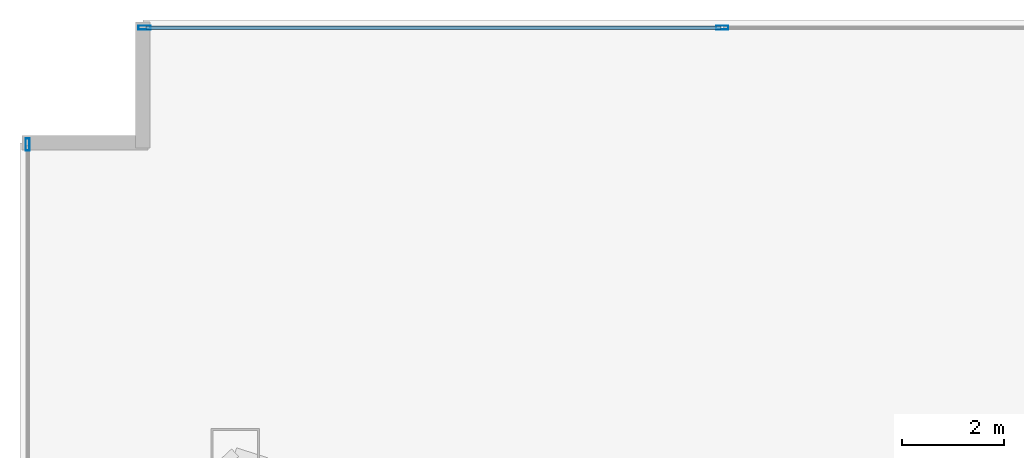
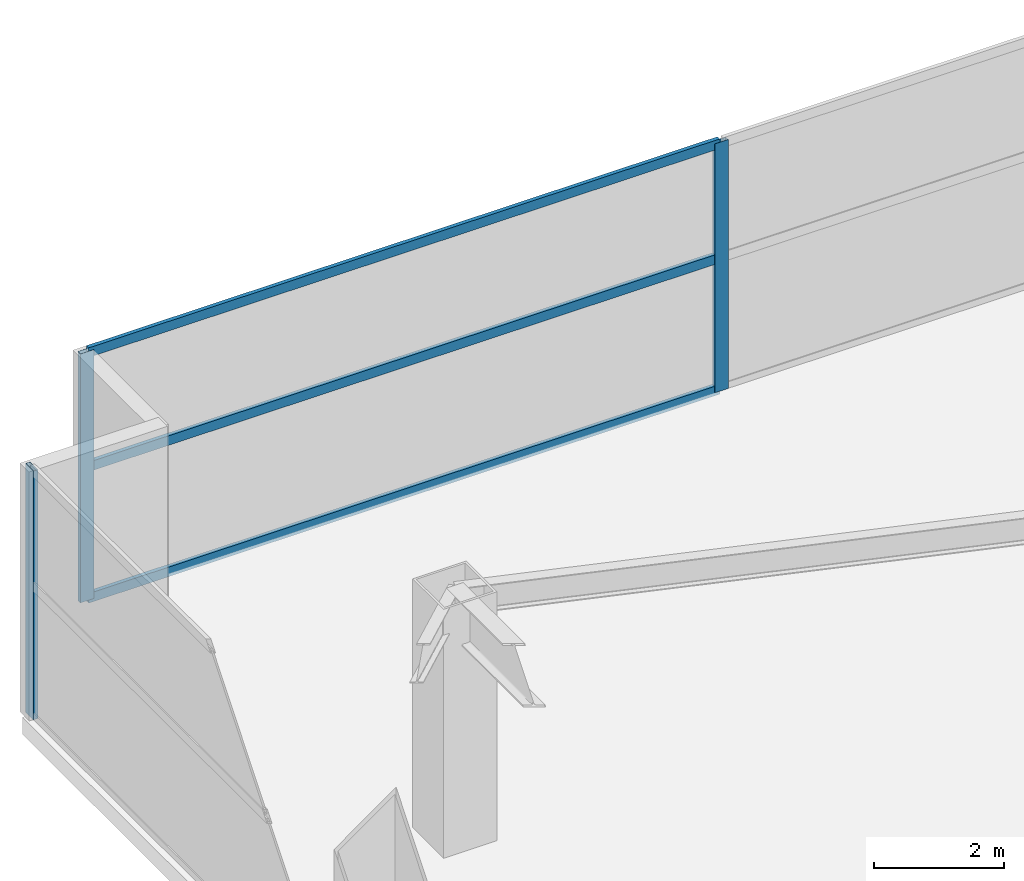
# One storey, part 16 of 35: 6 members, 2 elements without a shape of their own.
"""IFC4 building model written with IfcOpenShell, lengths in metres."""

from ifc_helpers import new_model, si_unit, direction, frame, origin, origin_2d, place, context, subcontext, project, spatial, hollow_rectangle, extrude, material, layer, layer_set, material_profile, profile_set, type_object, element, aggregate, save


model = new_model("IFC4")

# Units and contexts
model_context = context("Model", 3, precision=1e-05, world=origin(), true_north=direction((0.0, 1.0)))
body_context = subcontext(model_context, "Body", "Model", "MODEL_VIEW")
ifc_project = project(units=[si_unit("LENGTHUNIT", "METRE"), si_unit("AREAUNIT", "SQUARE_METRE"), si_unit("VOLUMEUNIT", "CUBIC_METRE"), si_unit("PLANEANGLEUNIT", "RADIAN"), si_unit("MASSUNIT", "GRAM", prefix="KILO")], contexts=[model_context])

# Site, building, storey
site_placement = place(None, origin())
site = spatial("IfcSite", under=ifc_project, at=site_placement, CompositionType="ELEMENT")
building_placement = place(site_placement, origin())
building = spatial("IfcBuilding", under=site, at=building_placement, Name="Calvorn Quay Hotel", CompositionType="ELEMENT")
storey_placement = place(building_placement, frame((0.0, 0.0, 12.0)))
storey = spatial("IfcBuildingStorey", under=building, at=storey_placement, Name="L02", CompositionType="ELEMENT", Elevation=12.0)

# Curtain wall, member
ifc_material_1 = material(Name="Pale Anodised Aluminium and Low-E Glass", Category="aluminium")
ifc_layer = layer(ifc_material_1, 0.219970703125)
ifc_layer_set = layer_set([ifc_layer], Name="CW-SYS-POD")
curtain_wall_type = type_object("IfcCurtainWallType", Name="CW-SYS-POD", PredefinedType="NOTDEFINED", material=ifc_layer_set)
curtain_wall_1_placement = place(storey_placement, origin())
curtain_wall_1 = element("IfcCurtainWall", 1, at=curtain_wall_1_placement, inside=storey, type_object=curtain_wall_type, Name="Podium Curtain Wall L02-W1", PredefinedType="NOTDEFINED")
ifc_material_2 = material(Name="Pale Anodised Aluminium 6063-T6", Category="aluminium")
ifc_material_profile_1 = material_profile(ifc_material_2, hollow_rectangle(XDim=0.080078125, YDim=0.239990234375, WallThickness=0.0048828125, at=origin_2d()), Name="ALU-M240x80x5")
ifc_profile_set_1 = profile_set([ifc_material_profile_1], Name="Pale Anodised Aluminium 6063-T6")
member_type_1 = type_object("IfcMemberType", Name="CW-SYS-POD-MUL", PredefinedType="MULLION", material=ifc_profile_set_1)
member_1_placement = place(storey_placement, frame((0.14990234375, 55.570068359375, 0.0), z_axis=(0.0, 0.0, 1.0), x_axis=(-1.0, 0.0, 0.0)))
member_1 = element("IfcMember", 2, at=member_1_placement, type_object=member_type_1, Name="CW-L02-W1 mullion 6", PredefinedType="MULLION", context=body_context, shape_type="SweptSolid", body=[
    extrude(hollow_rectangle(XDim=0.080078125, YDim=0.239990234375, WallThickness=0.0048828125, at=origin_2d()), origin(), (0.0, 0.0, 1.0), 4.679931640625),
])
aggregate(curtain_wall_1, [member_1])

# Curtain wall, members
curtain_wall_2_placement = place(storey_placement, origin())
curtain_wall_2 = element("IfcCurtainWall", 3, at=curtain_wall_2_placement, inside=storey, type_object=curtain_wall_type, Name="Podium Curtain Wall L02-N1", PredefinedType="NOTDEFINED")
member_2_placement = place(storey_placement, frame((2.429931640625, 57.85009765625, 0.0), z_axis=(0.0, 0.0, 1.0), x_axis=(0.0, 1.0, 0.0)))
member_2 = element("IfcMember", 4, at=member_2_placement, type_object=member_type_1, Name="CW-L02-N1 mullion 1", PredefinedType="MULLION", context=body_context, shape_type="SweptSolid", body=[
    extrude(hollow_rectangle(XDim=0.080078125, YDim=0.239990234375, WallThickness=0.0048828125, at=origin_2d()), origin(), (0.0, 0.0, 1.0), 4.679931640625),
])
member_3_placement = place(storey_placement, frame((13.71435546875, 57.85009765625, 0.0), z_axis=(0.0, 0.0, 1.0), x_axis=(0.0, 1.0, 0.0)))
member_3 = element("IfcMember", 5, at=member_3_placement, type_object=member_type_1, Name="CW-L02-N1 mullion 2", PredefinedType="MULLION", context=body_context, shape_type="SweptSolid", body=[
    extrude(hollow_rectangle(XDim=0.080078125, YDim=0.239990234375, WallThickness=0.0048828125, at=origin_2d()), origin(), (0.0, 0.0, 1.0), 4.679931640625),
])
ifc_material_3 = material(Name="Pale Anodised Aluminium 6063-T6", Category="aluminium")
ifc_material_profile_2 = material_profile(ifc_material_3, hollow_rectangle(XDim=0.070068359375, YDim=0.179931640625, WallThickness=0.00390625, at=origin_2d()), Name="ALU-T180x70x4")
ifc_profile_set_2 = profile_set([ifc_material_profile_2], Name="Pale Anodised Aluminium 6063-T6")
member_type_2 = type_object("IfcMemberType", Name="CW-SYS-POD-TRN", PredefinedType="USERDEFINED", material=ifc_profile_set_2)
member_4_placement = place(storey_placement, frame((2.4599609375, 57.85009765625, 0.030029296875), z_axis=(1.0, 0.0, 0.0), x_axis=(0.0, 1.0, 0.0)))
member_4 = element("IfcMember", 6, at=member_4_placement, type_object=member_type_2, Name="CW-L02-N1 transom 1.1", ObjectType="TRANSOM", PredefinedType="USERDEFINED", context=body_context, shape_type="SweptSolid", body=[
    extrude(hollow_rectangle(XDim=0.070068359375, YDim=0.179931640625, WallThickness=0.00390625, at=origin_2d()), origin(), (0.0, 0.0, 1.0), 11.224365234375),
])
member_5_placement = place(storey_placement, frame((2.4599609375, 57.85009765625, 2.5), z_axis=(1.0, 0.0, 0.0), x_axis=(0.0, 1.0, 0.0)))
member_5 = element("IfcMember", 7, at=member_5_placement, type_object=member_type_2, Name="CW-L02-N1 transom 1.2", ObjectType="TRANSOM", PredefinedType="USERDEFINED", context=body_context, shape_type="SweptSolid", body=[
    extrude(hollow_rectangle(XDim=0.070068359375, YDim=0.179931640625, WallThickness=0.00390625, at=origin_2d()), origin(), (0.0, 0.0, 1.0), 11.224365234375),
])
member_6_placement = place(storey_placement, frame((2.4599609375, 57.85009765625, 4.64990234375), z_axis=(1.0, 0.0, 0.0), x_axis=(0.0, 1.0, 0.0)))
member_6 = element("IfcMember", 8, at=member_6_placement, type_object=member_type_2, Name="CW-L02-N1 transom 1.3", ObjectType="TRANSOM", PredefinedType="USERDEFINED", context=body_context, shape_type="SweptSolid", body=[
    extrude(hollow_rectangle(XDim=0.070068359375, YDim=0.179931640625, WallThickness=0.00390625, at=origin_2d()), origin(), (0.0, 0.0, 1.0), 11.224365234375),
])
aggregate(curtain_wall_2, [member_2, member_3, member_4, member_5, member_6])

save(model, "model.ifc")
